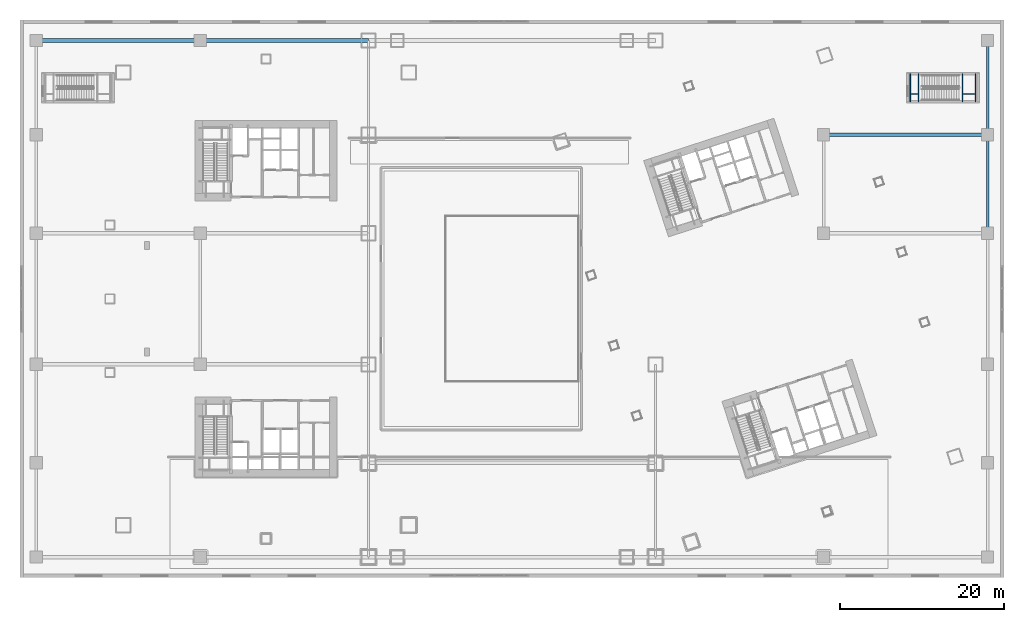
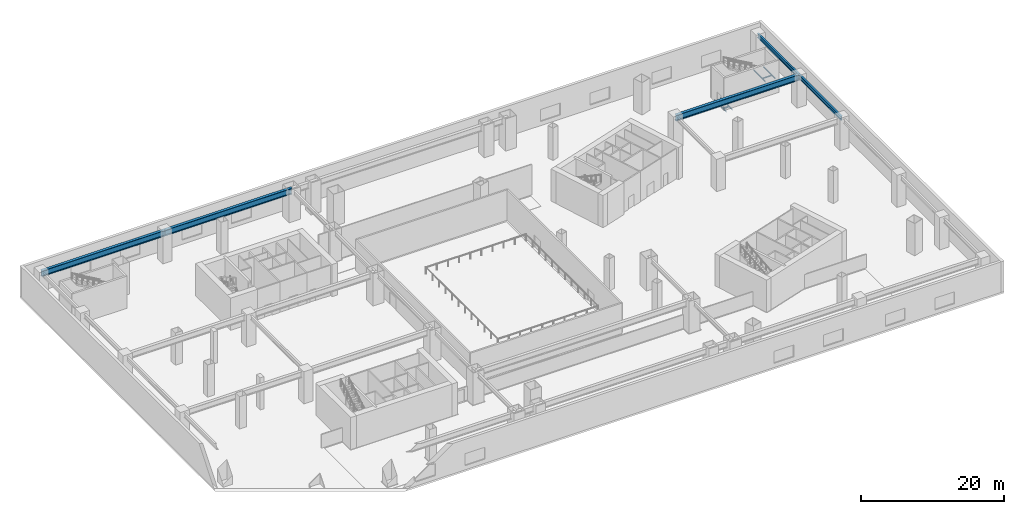
# One storey, part 17 of 35: 11 beams.
"""IFC4 building model written with IfcOpenShell, lengths in metres."""

from ifc_helpers import new_model, si_unit, direction, frame, origin, origin_2d, place, context, subcontext, project, spatial, i_section, extrude, material, material_profile, profile_set, type_object, element, save


model = new_model("IFC4")

# Units and contexts
model_context = context("Model", 3, precision=1e-05, world=origin(), true_north=direction((0.0, 1.0)))
body_context = subcontext(model_context, "Body", "Model", "MODEL_VIEW")
ifc_project = project(units=[si_unit("LENGTHUNIT", "METRE"), si_unit("AREAUNIT", "SQUARE_METRE"), si_unit("VOLUMEUNIT", "CUBIC_METRE"), si_unit("PLANEANGLEUNIT", "RADIAN"), si_unit("MASSUNIT", "GRAM", prefix="KILO")], contexts=[model_context])

# Site, building, storey
site_placement = place(None, origin())
site = spatial("IfcSite", under=ifc_project, at=site_placement, CompositionType="ELEMENT")
building_placement = place(site_placement, origin())
building = spatial("IfcBuilding", under=site, at=building_placement, Name="Qiaolan Cultural Towers", CompositionType="ELEMENT")
storey_placement = place(building_placement, frame((0.0, 0.0, 6.0)))
storey = spatial("IfcBuildingStorey", under=building, at=storey_placement, Name="L01", CompositionType="ELEMENT", Elevation=6.0)

# Beams
ifc_material_1 = material(Name="Steel Q390GJB", Category="steel")
ifc_material_profile_1 = material_profile(ifc_material_1, i_section(OverallWidth=0.449951171875, OverallDepth=1.0, WebThickness=0.02392578125, FlangeThickness=0.0400390625, at=origin_2d()), Name="BH1000x450x24x40")
ifc_profile_set_1 = profile_set([ifc_material_profile_1], Name="Steel Q390GJB")
beam_type_1 = type_object("IfcBeamType", Name="BM-BH1000x450x24x40", PredefinedType="BEAM", material=ifc_profile_set_1)
for number, where, z_axis, x_axis, name in (
    (1, (98.0, 54.0, 4.699951171875), (1.0, 0.0, 0.0), (0.0, 1.0, 0.0), "L01 Podium Primary Girder Y=54.0"),
    (2, (2.0, 65.5, 4.699951171875), (1.0, 0.0, 0.0), (0.0, 1.0, 0.0), "L01 Podium Primary Girder Y=65.5"),
):
    element("IfcBeam", number, at=place(storey_placement, frame(where, z_axis=z_axis, x_axis=x_axis)), inside=storey, type_object=beam_type_1, Name=name, PredefinedType="BEAM", context=body_context, shape_type="SweptSolid", body=[
        extrude(i_section(OverallWidth=0.449951171875, OverallDepth=1.0, WebThickness=0.02392578125, FlangeThickness=0.0400390625, at=origin_2d()), origin(), (0.0, 0.0, 1.0), 20.0),
    ])
beam_1_placement = place(storey_placement, frame((22.0, 65.5, 4.699951171875), z_axis=(1.0, 0.0, 0.0), x_axis=(0.0, 1.0, 0.0)))
element("IfcBeam", 3, at=beam_1_placement, inside=storey, type_object=beam_type_1, Name="L01 Podium Primary Girder Y=65.5", PredefinedType="BEAM", context=body_context, shape_type="SweptSolid", body=[
    extrude(i_section(OverallWidth=0.449951171875, OverallDepth=1.0, WebThickness=0.02392578125, FlangeThickness=0.0400390625, at=origin_2d()), origin(), (0.0, 0.0, 1.0), 20.5),
])
ifc_material_2 = material(Name="Steel Q355B", Category="steel")
ifc_material_profile_2 = material_profile(ifc_material_2, i_section(OverallWidth=0.300048828125, OverallDepth=0.699951171875, WebThickness=0.012939453125, FlangeThickness=0.02392578125, at=origin_2d()), Name="HN700x300x13x24")
ifc_profile_set_2 = profile_set([ifc_material_profile_2], Name="Steel Q355B")
beam_type_2 = type_object("IfcBeamType", Name="BM-HN700x300x13x24", PredefinedType="BEAM", material=ifc_profile_set_2)
beam_2_placement = place(storey_placement, frame((118.0, 42.0, 4.85009765625), z_axis=(0.0, 1.0, 0.0), x_axis=(-1.0, 0.0, 0.0)))
element("IfcBeam", 4, at=beam_2_placement, inside=storey, type_object=beam_type_2, Name="L01 Podium Transverse Beam X=118.0", PredefinedType="BEAM", context=body_context, shape_type="SweptSolid", body=[
    extrude(i_section(OverallWidth=0.300048828125, OverallDepth=0.699951171875, WebThickness=0.012939453125, FlangeThickness=0.02392578125, at=origin_2d()), origin(), (0.0, 0.0, 1.0), 12.0),
])
beam_3_placement = place(storey_placement, frame((118.0, 54.0, 4.85009765625), z_axis=(0.0, 1.0, 0.0), x_axis=(-1.0, 0.0, 0.0)))
element("IfcBeam", 5, at=beam_3_placement, inside=storey, type_object=beam_type_2, Name="L01 Podium Transverse Beam X=118.0", PredefinedType="BEAM", context=body_context, shape_type="SweptSolid", body=[
    extrude(i_section(OverallWidth=0.300048828125, OverallDepth=0.699951171875, WebThickness=0.012939453125, FlangeThickness=0.02392578125, at=origin_2d()), origin(), (0.0, 0.0, 1.0), 11.5),
])
ifc_material_3 = material(Name="Steel Q355B", Category="steel")
ifc_material_profile_3 = material_profile(ifc_material_3, i_section(OverallWidth=0.10009765625, OverallDepth=0.199951171875, WebThickness=0.005615234375, FlangeThickness=0.008056640625, at=origin_2d()), Name="HN200x100x5.5x8")
ifc_profile_set_3 = profile_set([ifc_material_profile_3], Name="Steel Q355B")
beam_type_3 = type_object("IfcBeamType", Name="BM-STTRIM-200", PredefinedType="BEAM", material=ifc_profile_set_3)
for number, where, z_axis, x_axis, name in (
    (6, (108.580078125, 58.050048828125, -0.4599609375), (0.0, 1.0, 0.0), (-1.0, 0.0, 0.0), "L01 ST-P2 Floor Landing Beam 1"),
    (7, (109.580078125, 58.050048828125, -0.4599609375), (0.0, 1.0, 0.0), (-1.0, 0.0, 0.0), "L01 ST-P2 Floor Landing Beam 2"),
):
    element("IfcBeam", number, at=place(storey_placement, frame(where, z_axis=z_axis, x_axis=x_axis)), inside=storey, type_object=beam_type_3, Name=name, PredefinedType="BEAM", context=body_context, shape_type="SweptSolid", body=[
        extrude(i_section(OverallWidth=0.10009765625, OverallDepth=0.199951171875, WebThickness=0.005615234375, FlangeThickness=0.008056640625, at=origin_2d()), origin(), (0.0, 0.0, 1.0), 3.39990234375),
    ])
beam_4_placement = place(storey_placement, frame((108.580078125, 58.97509765625, -0.4599609375), z_axis=(1.0, 0.0, 0.0), x_axis=(0.0, 1.0, 0.0)))
element("IfcBeam", 8, at=beam_4_placement, inside=storey, type_object=beam_type_3, Name="L01 ST-P2 Floor Landing Trimmer", PredefinedType="BEAM", context=body_context, shape_type="SweptSolid", body=[
    extrude(i_section(OverallWidth=0.10009765625, OverallDepth=0.199951171875, WebThickness=0.005615234375, FlangeThickness=0.008056640625, at=origin_2d()), origin(), (0.0, 0.0, 1.0), 1.0),
])
for number, where, z_axis, x_axis, name in (
    (9, (114.938720703125, 58.050048828125, 2.449951171875), (0.0, 1.0, 0.0), (-1.0, 0.0, 0.0), "L01 ST-P2 Stair Landing Support Beam 1-1"),
    (10, (116.52001953125, 58.050048828125, 2.449951171875), (0.0, 1.0, 0.0), (-1.0, 0.0, 0.0), "L01 ST-P2 Stair Landing Support Beam 1-2"),
):
    element("IfcBeam", number, at=place(storey_placement, frame(where, z_axis=z_axis, x_axis=x_axis)), inside=storey, type_object=beam_type_3, Name=name, PredefinedType="BEAM", context=body_context, shape_type="SweptSolid", body=[
        extrude(i_section(OverallWidth=0.10009765625, OverallDepth=0.199951171875, WebThickness=0.005615234375, FlangeThickness=0.008056640625, at=origin_2d()), origin(), (0.0, 0.0, 1.0), 3.39990234375),
    ])
beam_5_placement = place(storey_placement, frame((114.938720703125, 58.97509765625, 2.449951171875), z_axis=(1.0, 0.0, 0.0), x_axis=(0.0, 1.0, 0.0)))
element("IfcBeam", 11, at=beam_5_placement, inside=storey, type_object=beam_type_3, Name="L01 ST-P2 Stair Landing Trimmer 1", PredefinedType="BEAM", context=body_context, shape_type="SweptSolid", body=[
    extrude(i_section(OverallWidth=0.10009765625, OverallDepth=0.199951171875, WebThickness=0.005615234375, FlangeThickness=0.008056640625, at=origin_2d()), origin(), (0.0, 0.0, 1.0), 1.581298828125),
])

save(model, "model.ifc")
